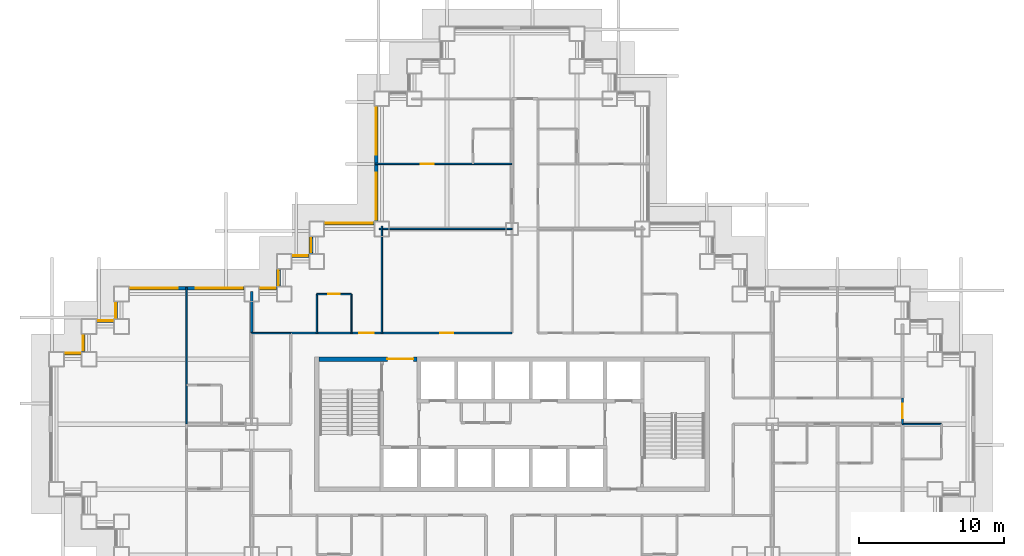
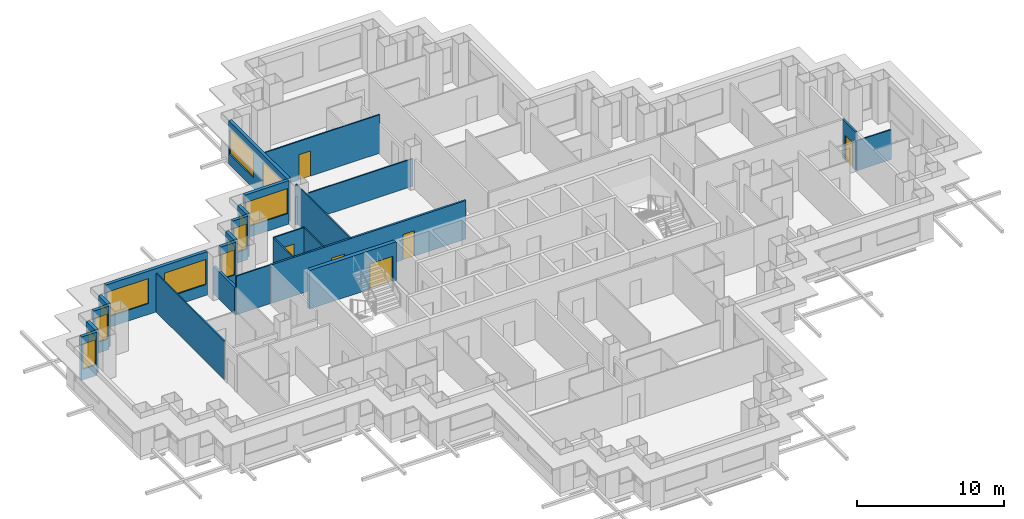
# One storey, part 7 of 15: 24 walls, 13 windows, 6 doors, 19 openings.
"""IFC4 building model written with IfcOpenShell, lengths in metres."""

from ifc_helpers import new_model, si_unit, direction, frame, frame_2d, origin, place, context, subcontext, project, spatial, rectangle, extrude, material, layer, layer_set, type_object, element, fill, save


model = new_model("IFC4")

# Units and contexts
model_context = context("Model", 3, precision=1e-05, world=origin(), true_north=direction((0.0, 1.0)))
body_context = subcontext(model_context, "Body", "Model", "MODEL_VIEW")
ifc_project = project(units=[si_unit("LENGTHUNIT", "METRE"), si_unit("AREAUNIT", "SQUARE_METRE"), si_unit("VOLUMEUNIT", "CUBIC_METRE"), si_unit("PLANEANGLEUNIT", "RADIAN"), si_unit("MASSUNIT", "GRAM", prefix="KILO")], contexts=[model_context])

# Site, building, storey
site_placement = place(None, origin())
site = spatial("IfcSite", under=ifc_project, at=site_placement, CompositionType="ELEMENT")
building_placement = place(site_placement, origin())
building = spatial("IfcBuilding", under=site, at=building_placement, Name="Caravel Reach Hotel and Residences", CompositionType="ELEMENT")
storey_placement = place(building_placement, frame((0.0, 0.0, 44.39990234375)))
storey = spatial("IfcBuildingStorey", under=building, at=storey_placement, Name="L09", CompositionType="ELEMENT", Elevation=44.39990234375)

# Wall
ifc_material_1 = material(Name="Gypsum board on steel stud", Category="steel")
ifc_layer_1 = layer(ifc_material_1, 0.10009765625)
ifc_layer_set_1 = layer_set([ifc_layer_1], Name="Bathroom pod wall 100 mm")
wall_type_1 = type_object("IfcWallType", Name="Bathroom pod wall 100 mm", PredefinedType="PARTITIONING", material=ifc_layer_set_1)
wall_1_placement = place(storey_placement, frame((58.5, 27.0, 0.0), z_axis=(0.0, 0.0, 1.0), x_axis=(1.0, 0.0, 0.0)))
element("IfcWall", 1, at=wall_1_placement, inside=storey, type_object=wall_type_1, Name="L09 wall w082", PredefinedType="PARTITIONING", context=body_context, shape_type="SweptSolid", body=[
    extrude(rectangle(XDim=2.699951171875, YDim=0.10009765625, at=frame_2d((1.35009765625, 0.0))), origin(), (0.0, 0.0, 1.0), 2.47998046875),
])

# Wall, opening, door
wall_2_placement = place(storey_placement, frame((18.0, 36.0, 0.0), z_axis=(0.0, 0.0, 1.0), x_axis=(1.0, 0.0, 0.0)))
wall_2 = element("IfcWall", 2, at=wall_2_placement, inside=storey, type_object=wall_type_1, Name="L09 wall w085", PredefinedType="PARTITIONING", context=body_context, shape_type="SweptSolid", body=[
    extrude(rectangle(XDim=2.39990234375, YDim=0.10009765625, at=frame_2d((1.199951171875, 0.0))), origin(), (0.0, 0.0, 1.0), 3.2001953125),
])
opening_1_placement = place(wall_2_placement, frame((0.800048828125, 0.0, 0.0)))
opening_1 = element("IfcOpeningElement", 3, at=opening_1_placement, cuts=wall_2, Name="Opening D09-043", PredefinedType="OPENING", context=body_context, shape_type="SweptSolid", body=[
    extrude(rectangle(XDim=0.800048828125, YDim=2.10009765625, at=frame_2d((0.39990234375, 1.050048828125))), frame((0.0, 0.06005859375, 0.0), z_axis=(0.0, -1.0, 0.0), x_axis=(1.0, 0.0, 0.0)), (0.0, 0.0, 1.0), 0.1201171875),
])
ifc_material_2 = material(Name="Timber and steel door leaf", Category="steel")
door_type_1 = type_object("IfcDoorType", Name="Bathroom door 800 x 2100", OperationType="SINGLE_SWING_LEFT", PredefinedType="DOOR", material=ifc_material_2)
door_1_placement = place(opening_1_placement, origin())
door_1 = element("IfcDoor", 4, at=door_1_placement, inside=storey, type_object=door_type_1, Name="door D09-043", OperationType="SINGLE_SWING_LEFT", OverallHeight=2.10009765625, OverallWidth=0.800048828125, PredefinedType="DOOR", context=body_context, shape_type="SweptSolid", body=[
    extrude(rectangle(XDim=0.800048828125, YDim=2.10009765625, at=frame_2d((0.39990234375, 1.050048828125))), frame((0.0, 0.02490234375, 0.0), z_axis=(0.0, -1.0, 0.0), x_axis=(1.0, 0.0, 0.0)), (0.0, 0.0, 1.0), 0.050048828125),
])
fill(opening_1, door_1)

# Walls
for number, where, z_axis, x_axis, name in (
    (5, (18.0, 33.300048828125, 0.0), (0.0, 0.0, 1.0), (0.0, 1.0, 0.0), "L09 wall w091"),
    (6, (20.39990234375, 33.300048828125, 0.0), (0.0, 0.0, 1.0), (0.0, 1.0, 0.0), "L09 wall w093"),
):
    element("IfcWall", number, at=place(storey_placement, frame(where, z_axis=z_axis, x_axis=x_axis)), inside=storey, type_object=wall_type_1, Name=name, PredefinedType="PARTITIONING", context=body_context, shape_type="SweptSolid", body=[
        extrude(rectangle(XDim=2.699951171875, YDim=0.10009765625, at=frame_2d((1.35009765625, 0.0))), origin(), (0.0, 0.0, 1.0), 3.2001953125),
    ])

# Wall, opening, door
ifc_material_3 = material(Name="Concrete C60", Category="concrete")
ifc_layer_2 = layer(ifc_material_3, 0.300048828125)
ifc_layer_set_2 = layer_set([ifc_layer_2], Name="Core wall 300 mm EI 120")
wall_type_2 = type_object("IfcWallType", Name="Core wall 300 mm EI 120", PredefinedType="SHEAR", material=ifc_layer_set_2)
wall_3_placement = place(storey_placement, frame((18.14990234375, 31.5, 0.0), z_axis=(0.0, 0.0, 1.0), x_axis=(1.0, 0.0, 0.0)))
wall_3 = element("IfcWall", 7, at=wall_3_placement, inside=storey, type_object=wall_type_2, Name="L09 core wall N1", PredefinedType="SHEAR", context=body_context, shape_type="SweptSolid", body=[
    extrude(rectangle(XDim=6.796630859375, YDim=0.300048828125, at=frame_2d((3.3984375, 0.0))), origin(), (0.0, 0.0, 1.0), 3.2001953125),
])
opening_2_placement = place(wall_3_placement, frame((4.735595703125, 0.0, 0.0)))
opening_2 = element("IfcOpeningElement", 8, at=opening_2_placement, cuts=wall_3, Name="Opening D09-014", PredefinedType="OPENING", context=body_context, shape_type="SweptSolid", body=[
    extrude(rectangle(XDim=1.800048828125, YDim=2.10009765625, at=frame_2d((0.89990234375, 1.050048828125))), frame((0.0, 0.159912109375, 0.0), z_axis=(0.0, -1.0, 0.0), x_axis=(1.0, 0.0, 0.0)), (0.0, 0.0, 1.0), 0.320068359375),
])
ifc_material_4 = material(Name="Steel fire door leaf", Category="steel")
door_type_2 = type_object("IfcDoorType", Name="Fire lobby door pair 1800 x 2100 EI 90", OperationType="DOUBLE_DOOR_SINGLE_SWING", PredefinedType="DOOR", material=ifc_material_4)
door_2_placement = place(opening_2_placement, origin())
door_2 = element("IfcDoor", 9, at=door_2_placement, inside=storey, type_object=door_type_2, Name="lobby N door pair to corridor", OperationType="DOUBLE_DOOR_SINGLE_SWING", OverallHeight=2.10009765625, OverallWidth=1.800048828125, PredefinedType="DOOR", context=body_context, shape_type="SweptSolid", body=[
    extrude(rectangle(XDim=1.800048828125, YDim=2.10009765625, at=frame_2d((0.89990234375, 1.050048828125))), frame((0.0, 0.02490234375, 0.0), z_axis=(0.0, -1.0, 0.0), x_axis=(1.0, 0.0, 0.0)), (0.0, 0.0, 1.0), 0.050048828125),
])
fill(opening_2, door_2)

# Wall, openings, doors
ifc_material_5 = material(Name="Gypsum board on steel stud, fire-rated", Category="steel")
ifc_layer_3 = layer(ifc_material_5, 0.14990234375)
ifc_layer_set_3 = layer_set([ifc_layer_3], Name="Corridor wall 150 mm EI 60")
wall_type_3 = type_object("IfcWallType", Name="Corridor wall 150 mm EI 60", PredefinedType="PARTITIONING", material=ifc_layer_set_3)
wall_4_placement = place(storey_placement, frame((16.199951171875, 33.300048828125, 0.0), z_axis=(0.0, 0.0, 1.0), x_axis=(1.0, 0.0, 0.0)))
wall_4 = element("IfcWall", 10, at=wall_4_placement, inside=storey, type_object=wall_type_3, Name="L09 wall w016", PredefinedType="PARTITIONING", context=body_context, shape_type="SweptSolid", body=[
    extrude(rectangle(XDim=15.300048828125, YDim=0.14990234375, at=frame_2d((7.64990234375, 0.0))), origin(), (0.0, 0.0, 1.0), 3.2001953125),
])
opening_3_placement = place(wall_4_placement, frame((4.75, 0.0, 0.0)))
opening_3 = element("IfcOpeningElement", 11, at=opening_3_placement, cuts=wall_4, Name="Opening D09-042", PredefinedType="OPENING", context=body_context, shape_type="SweptSolid", body=[
    extrude(rectangle(XDim=1.0, YDim=2.10009765625, at=frame_2d((0.5, 1.050048828125))), frame((0.0, 0.0849609375, 0.0), z_axis=(0.0, -1.0, 0.0), x_axis=(1.0, 0.0, 0.0)), (0.0, 0.0, 1.0), 0.169921875),
])
opening_4_placement = place(wall_4_placement, frame((10.35009765625, 0.0, 0.0)))
opening_4 = element("IfcOpeningElement", 12, at=opening_4_placement, cuts=wall_4, Name="Opening D09-050", PredefinedType="OPENING", context=body_context, shape_type="SweptSolid", body=[
    extrude(rectangle(XDim=0.89990234375, YDim=2.10009765625, at=frame_2d((0.449951171875, 1.050048828125))), frame((0.0, 0.0849609375, 0.0), z_axis=(0.0, -1.0, 0.0), x_axis=(1.0, 0.0, 0.0)), (0.0, 0.0, 1.0), 0.169921875),
])
ifc_material_6 = material(Name="Timber and steel door leaf", Category="steel")
door_type_3 = type_object("IfcDoorType", Name="Door 900 x 2100 timber", OperationType="SINGLE_SWING_LEFT", PredefinedType="DOOR", material=ifc_material_6)
door_3_placement = place(opening_4_placement, origin())
door_3 = element("IfcDoor", 13, at=door_3_placement, inside=storey, type_object=door_type_3, Name="door D09-050", OperationType="SINGLE_SWING_LEFT", OverallHeight=2.10009765625, OverallWidth=0.89990234375, PredefinedType="DOOR", context=body_context, shape_type="SweptSolid", body=[
    extrude(rectangle(XDim=0.89990234375, YDim=2.10009765625, at=frame_2d((0.449951171875, 1.050048828125))), frame((0.0, 0.02490234375, 0.0), z_axis=(0.0, -1.0, 0.0), x_axis=(1.0, 0.0, 0.0)), (0.0, 0.0, 1.0), 0.050048828125),
])
fill(opening_4, door_3)
ifc_material_7 = material(Name="Steel fire door leaf", Category="steel")
door_type_4 = type_object("IfcDoorType", Name="Guest room door 1000 x 2100 EI 30", OperationType="SINGLE_SWING_LEFT", PredefinedType="DOOR", material=ifc_material_7)
door_4_placement = place(opening_3_placement, origin())
door_4 = element("IfcDoor", 14, at=door_4_placement, inside=storey, type_object=door_type_4, Name="door D09-042", OperationType="SINGLE_SWING_RIGHT", OverallHeight=2.10009765625, OverallWidth=1.0, PredefinedType="DOOR", context=body_context, shape_type="SweptSolid", body=[
    extrude(rectangle(XDim=1.0, YDim=2.10009765625, at=frame_2d((0.5, 1.050048828125))), frame((0.0, 0.02490234375, 0.0), z_axis=(0.0, -1.0, 0.0), x_axis=(1.0, 0.0, 0.0)), (0.0, 0.0, 1.0), 0.050048828125),
])
fill(opening_3, door_4)

# Wall, opening, door
wall_5_placement = place(storey_placement, frame((58.5, 27.0, 0.0), z_axis=(0.0, 0.0, 1.0), x_axis=(0.0, 1.0, 0.0)))
wall_5 = element("IfcWall", 15, at=wall_5_placement, inside=storey, type_object=wall_type_3, Name="L09 wall w036", PredefinedType="PARTITIONING", context=body_context, shape_type="SweptSolid", body=[
    extrude(rectangle(XDim=1.800048828125, YDim=0.14990234375, at=frame_2d((0.89990234375, 0.0))), origin(), (0.0, 0.0, 1.0), 3.2001953125),
])
opening_5_placement = place(wall_5_placement, frame((0.39990234375, 0.0, 0.0)))
opening_5 = element("IfcOpeningElement", 16, at=opening_5_placement, cuts=wall_5, Name="Opening D09-038", PredefinedType="OPENING", context=body_context, shape_type="SweptSolid", body=[
    extrude(rectangle(XDim=1.0, YDim=2.10009765625, at=frame_2d((0.5, 1.050048828125))), frame((0.0, 0.0849609375, 0.0), z_axis=(0.0, -1.0, 0.0), x_axis=(1.0, 0.0, 0.0)), (0.0, 0.0, 1.0), 0.169921875),
])
door_5_placement = place(opening_5_placement, origin())
door_5 = element("IfcDoor", 17, at=door_5_placement, inside=storey, type_object=door_type_4, Name="door D09-038", OperationType="SINGLE_SWING_LEFT", OverallHeight=2.10009765625, OverallWidth=1.0, PredefinedType="DOOR", context=body_context, shape_type="SweptSolid", body=[
    extrude(rectangle(XDim=1.0, YDim=2.10009765625, at=frame_2d((0.5, 1.050048828125))), frame((0.0, 0.02490234375, 0.0), z_axis=(0.0, -1.0, 0.0), x_axis=(1.0, 0.0, 0.0)), (0.0, 0.0, 1.0), 0.050048828125),
])
fill(opening_5, door_5)

# Wall, openings, windows
ifc_material_8 = material(Name="Insulated rainscreen wall, aluminium cladding", Category="aluminium")
ifc_layer_4 = layer(ifc_material_8, 0.25)
ifc_layer_set_4 = layer_set([ifc_layer_4], Name="EW1 Tower rainscreen wall")
wall_type_4 = type_object("IfcWallType", Name="EW1 Tower rainscreen wall", PredefinedType="SOLIDWALL", material=ifc_layer_set_4)
wall_6_placement = place(storey_placement, frame((22.10009765625, 48.97509765625, 0.0), z_axis=(0.0, 0.0, 1.0), x_axis=(0.0, -1.0, 0.0)))
wall_6 = element("IfcWall", 18, at=wall_6_placement, inside=storey, type_object=wall_type_4, Name="External wall L09 W40.1", PredefinedType="SOLIDWALL", context=body_context, shape_type="SweptSolid", body=[
    extrude(rectangle(XDim=7.9501953125, YDim=0.25, at=frame_2d((3.97509765625, 0.0))), origin(), (0.0, 0.0, 1.0), 3.60009765625),
])
opening_6_placement = place(wall_6_placement, frame((0.10009765625, 0.0, 0.89990234375)))
opening_6 = element("IfcOpeningElement", 19, at=opening_6_placement, cuts=wall_6, Name="Opening WN2", PredefinedType="OPENING", context=body_context, shape_type="SweptSolid", body=[
    extrude(rectangle(XDim=3.25, YDim=2.080078125, at=frame_2d((1.625, 1.0400390625))), frame((0.0, 0.135009765625, 0.0), z_axis=(0.0, -1.0, 0.0), x_axis=(1.0, 0.0, 0.0)), (0.0, 0.0, 1.0), 0.27001953125),
])
opening_7_placement = place(wall_6_placement, frame((4.60009765625, 0.0, 0.89990234375)))
opening_7 = element("IfcOpeningElement", 20, at=opening_7_placement, cuts=wall_6, Name="Opening WN2", PredefinedType="OPENING", context=body_context, shape_type="SweptSolid", body=[
    extrude(rectangle(XDim=3.25, YDim=2.080078125, at=frame_2d((1.625, 1.0400390625))), frame((0.0, 0.135009765625, 0.0), z_axis=(0.0, -1.0, 0.0), x_axis=(1.0, 0.0, 0.0)), (0.0, 0.0, 1.0), 0.27001953125),
])
ifc_material_9 = material(Name="Dark low-e glazing in black aluminium frame", Category="aluminium")
window_type_1 = type_object("IfcWindowType", Name="Hotel guest room window 3250 x 2080", PartitioningType="SINGLE_PANEL", PredefinedType="WINDOW", material=ifc_material_9)
window_1_placement = place(opening_6_placement, origin())
window_1 = element("IfcWindow", 21, at=window_1_placement, inside=storey, type_object=window_type_1, Name="Window L09 W40.1.1", OverallHeight=2.080078125, OverallWidth=3.25, PartitioningType="SINGLE_PANEL", PredefinedType="WINDOW", context=body_context, shape_type="SweptSolid", body=[
    extrude(rectangle(XDim=3.25, YDim=2.080078125, at=frame_2d((1.625, 1.0400390625))), frame((0.0, 0.030029296875, 0.0), z_axis=(0.0, -1.0, 0.0), x_axis=(1.0, 0.0, 0.0)), (0.0, 0.0, 1.0), 0.06005859375),
])
fill(opening_6, window_1)
window_2_placement = place(opening_7_placement, origin())
window_2 = element("IfcWindow", 22, at=window_2_placement, inside=storey, type_object=window_type_1, Name="Window L09 W40.1.2", OverallHeight=2.080078125, OverallWidth=3.25, PartitioningType="SINGLE_PANEL", PredefinedType="WINDOW", context=body_context, shape_type="SweptSolid", body=[
    extrude(rectangle(XDim=3.25, YDim=2.080078125, at=frame_2d((1.625, 1.0400390625))), frame((0.0, 0.030029296875, 0.0), z_axis=(0.0, -1.0, 0.0), x_axis=(1.0, 0.0, 0.0)), (0.0, 0.0, 1.0), 0.06005859375),
])
fill(opening_7, window_2)

# Wall, opening, window
wall_7_placement = place(storey_placement, frame((21.97509765625, 40.89990234375, 0.0), z_axis=(0.0, 0.0, 1.0), x_axis=(-1.0, 0.0, 0.0)))
wall_7 = element("IfcWall", 23, at=wall_7_placement, inside=storey, type_object=wall_type_4, Name="External wall L09 N41.1", PredefinedType="SOLIDWALL", context=body_context, shape_type="SweptSolid", body=[
    extrude(rectangle(XDim=3.4501953125, YDim=0.25, at=frame_2d((1.72509765625, 0.0))), origin(), (0.0, 0.0, 1.0), 3.60009765625),
])
opening_8_placement = place(wall_7_placement, frame((0.10009765625, 0.0, 0.89990234375)))
opening_8 = element("IfcOpeningElement", 24, at=opening_8_placement, cuts=wall_7, Name="Opening WN2", PredefinedType="OPENING", context=body_context, shape_type="SweptSolid", body=[
    extrude(rectangle(XDim=3.25, YDim=2.080078125, at=frame_2d((1.625, 1.0400390625))), frame((0.0, 0.135009765625, 0.0), z_axis=(0.0, -1.0, 0.0), x_axis=(1.0, 0.0, 0.0)), (0.0, 0.0, 1.0), 0.27001953125),
])
window_3_placement = place(opening_8_placement, origin())
window_3 = element("IfcWindow", 25, at=window_3_placement, inside=storey, type_object=window_type_1, Name="Window L09 N41.1.1", OverallHeight=2.080078125, OverallWidth=3.25, PartitioningType="SINGLE_PANEL", PredefinedType="WINDOW", context=body_context, shape_type="SweptSolid", body=[
    extrude(rectangle(XDim=3.25, YDim=2.080078125, at=frame_2d((1.625, 1.0400390625))), frame((0.0, 0.030029296875, 0.0), z_axis=(0.0, -1.0, 0.0), x_axis=(1.0, 0.0, 0.0)), (0.0, 0.0, 1.0), 0.06005859375),
])
fill(opening_8, window_3)

wall_8_placement = place(storey_placement, frame((17.60009765625, 39.97509765625, 0.0), z_axis=(0.0, 0.0, 1.0), x_axis=(0.0, -1.0, 0.0)))
wall_8 = element("IfcWall", 26, at=wall_8_placement, inside=storey, type_object=wall_type_4, Name="External wall L09 W42.1", PredefinedType="SOLIDWALL", context=body_context, shape_type="SweptSolid", body=[
    extrude(rectangle(XDim=1.2001953125, YDim=0.25, at=frame_2d((0.60009765625, 0.0))), origin(), (0.0, 0.0, 1.0), 3.60009765625),
])
opening_9_placement = place(wall_8_placement, frame((0.10009765625, 0.0, 0.89990234375)))
opening_9 = element("IfcOpeningElement", 27, at=opening_9_placement, cuts=wall_8, Name="Opening WN1", PredefinedType="OPENING", context=body_context, shape_type="SweptSolid", body=[
    extrude(rectangle(XDim=1.0, YDim=2.080078125, at=frame_2d((0.5, 1.0400390625))), frame((0.0, 0.135009765625, 0.0), z_axis=(0.0, -1.0, 0.0), x_axis=(1.0, 0.0, 0.0)), (0.0, 0.0, 1.0), 0.27001953125),
])
ifc_material_10 = material(Name="Dark low-e glazing in black aluminium frame", Category="aluminium")
window_type_2 = type_object("IfcWindowType", Name="Hotel suite corner window 1000 x 2080", PartitioningType="SINGLE_PANEL", PredefinedType="WINDOW", material=ifc_material_10)
window_4_placement = place(opening_9_placement, origin())
window_4 = element("IfcWindow", 28, at=window_4_placement, inside=storey, type_object=window_type_2, Name="Window L09 W42.1.1", OverallHeight=2.080078125, OverallWidth=1.0, PartitioningType="SINGLE_PANEL", PredefinedType="WINDOW", context=body_context, shape_type="SweptSolid", body=[
    extrude(rectangle(XDim=1.0, YDim=2.080078125, at=frame_2d((0.5, 1.0400390625))), frame((0.0, 0.030029296875, 0.0), z_axis=(0.0, -1.0, 0.0), x_axis=(1.0, 0.0, 0.0)), (0.0, 0.0, 1.0), 0.06005859375),
])
fill(opening_9, window_4)

wall_9_placement = place(storey_placement, frame((17.47509765625, 38.64990234375, 0.0), z_axis=(0.0, 0.0, 1.0), x_axis=(-1.0, 0.0, 0.0)))
wall_9 = element("IfcWall", 29, at=wall_9_placement, inside=storey, type_object=wall_type_4, Name="External wall L09 N43.1", PredefinedType="SOLIDWALL", context=body_context, shape_type="SweptSolid", body=[
    extrude(rectangle(XDim=1.2001953125, YDim=0.25, at=frame_2d((0.60009765625, 0.0))), origin(), (0.0, 0.0, 1.0), 3.60009765625),
])
opening_10_placement = place(wall_9_placement, frame((0.10009765625, 0.0, 0.89990234375)))
opening_10 = element("IfcOpeningElement", 30, at=opening_10_placement, cuts=wall_9, Name="Opening WN1", PredefinedType="OPENING", context=body_context, shape_type="SweptSolid", body=[
    extrude(rectangle(XDim=1.0, YDim=2.080078125, at=frame_2d((0.5, 1.0400390625))), frame((0.0, 0.135009765625, 0.0), z_axis=(0.0, -1.0, 0.0), x_axis=(1.0, 0.0, 0.0)), (0.0, 0.0, 1.0), 0.27001953125),
])
window_5_placement = place(opening_10_placement, origin())
window_5 = element("IfcWindow", 31, at=window_5_placement, inside=storey, type_object=window_type_2, Name="Window L09 N43.1.1", OverallHeight=2.080078125, OverallWidth=1.0, PartitioningType="SINGLE_PANEL", PredefinedType="WINDOW", context=body_context, shape_type="SweptSolid", body=[
    extrude(rectangle(XDim=1.0, YDim=2.080078125, at=frame_2d((0.5, 1.0400390625))), frame((0.0, 0.030029296875, 0.0), z_axis=(0.0, -1.0, 0.0), x_axis=(1.0, 0.0, 0.0)), (0.0, 0.0, 1.0), 0.06005859375),
])
fill(opening_10, window_5)

wall_10_placement = place(storey_placement, frame((15.35009765625, 37.72509765625, 0.0), z_axis=(0.0, 0.0, 1.0), x_axis=(0.0, -1.0, 0.0)))
wall_10 = element("IfcWall", 32, at=wall_10_placement, inside=storey, type_object=wall_type_4, Name="External wall L09 W44.1", PredefinedType="SOLIDWALL", context=body_context, shape_type="SweptSolid", body=[
    extrude(rectangle(XDim=1.2001953125, YDim=0.25, at=frame_2d((0.60009765625, 0.0))), origin(), (0.0, 0.0, 1.0), 3.60009765625),
])
opening_11_placement = place(wall_10_placement, frame((0.10009765625, 0.0, 0.89990234375)))
opening_11 = element("IfcOpeningElement", 33, at=opening_11_placement, cuts=wall_10, Name="Opening WN1", PredefinedType="OPENING", context=body_context, shape_type="SweptSolid", body=[
    extrude(rectangle(XDim=1.0, YDim=2.080078125, at=frame_2d((0.5, 1.0400390625))), frame((0.0, 0.135009765625, 0.0), z_axis=(0.0, -1.0, 0.0), x_axis=(1.0, 0.0, 0.0)), (0.0, 0.0, 1.0), 0.27001953125),
])
window_6_placement = place(opening_11_placement, origin())
window_6 = element("IfcWindow", 34, at=window_6_placement, inside=storey, type_object=window_type_2, Name="Window L09 W44.1.1", OverallHeight=2.080078125, OverallWidth=1.0, PartitioningType="SINGLE_PANEL", PredefinedType="WINDOW", context=body_context, shape_type="SweptSolid", body=[
    extrude(rectangle(XDim=1.0, YDim=2.080078125, at=frame_2d((0.5, 1.0400390625))), frame((0.0, 0.030029296875, 0.0), z_axis=(0.0, -1.0, 0.0), x_axis=(1.0, 0.0, 0.0)), (0.0, 0.0, 1.0), 0.06005859375),
])
fill(opening_11, window_6)

wall_11_placement = place(storey_placement, frame((15.22509765625, 36.39990234375, 0.0), z_axis=(0.0, 0.0, 1.0), x_axis=(-1.0, 0.0, 0.0)))
wall_11 = element("IfcWall", 35, at=wall_11_placement, inside=storey, type_object=wall_type_4, Name="External wall L09 N45.1", PredefinedType="SOLIDWALL", context=body_context, shape_type="SweptSolid", body=[
    extrude(rectangle(XDim=1.2001953125, YDim=0.25, at=frame_2d((0.60009765625, 0.0))), origin(), (0.0, 0.0, 1.0), 3.60009765625),
])
opening_12_placement = place(wall_11_placement, frame((0.10009765625, 0.0, 0.89990234375)))
opening_12 = element("IfcOpeningElement", 36, at=opening_12_placement, cuts=wall_11, Name="Opening WN1", PredefinedType="OPENING", context=body_context, shape_type="SweptSolid", body=[
    extrude(rectangle(XDim=1.0, YDim=2.080078125, at=frame_2d((0.5, 1.0400390625))), frame((0.0, 0.135009765625, 0.0), z_axis=(0.0, -1.0, 0.0), x_axis=(1.0, 0.0, 0.0)), (0.0, 0.0, 1.0), 0.27001953125),
])
window_7_placement = place(opening_12_placement, origin())
window_7 = element("IfcWindow", 37, at=window_7_placement, inside=storey, type_object=window_type_2, Name="Window L09 N45.1.1", OverallHeight=2.080078125, OverallWidth=1.0, PartitioningType="SINGLE_PANEL", PredefinedType="WINDOW", context=body_context, shape_type="SweptSolid", body=[
    extrude(rectangle(XDim=1.0, YDim=2.080078125, at=frame_2d((0.5, 1.0400390625))), frame((0.0, 0.030029296875, 0.0), z_axis=(0.0, -1.0, 0.0), x_axis=(1.0, 0.0, 0.0)), (0.0, 0.0, 1.0), 0.06005859375),
])
fill(opening_12, window_7)

# Wall, openings, windows
wall_12_placement = place(storey_placement, frame((12.97509765625, 36.39990234375, 0.0), z_axis=(0.0, 0.0, 1.0), x_axis=(-1.0, 0.0, 0.0)))
wall_12 = element("IfcWall", 38, at=wall_12_placement, inside=storey, type_object=wall_type_4, Name="External wall L09 N45.2", PredefinedType="SOLIDWALL", context=body_context, shape_type="SweptSolid", body=[
    extrude(rectangle(XDim=7.9501953125, YDim=0.25, at=frame_2d((3.97509765625, 0.0))), origin(), (0.0, 0.0, 1.0), 3.60009765625),
])
opening_13_placement = place(wall_12_placement, frame((0.10009765625, 0.0, 0.89990234375)))
opening_13 = element("IfcOpeningElement", 39, at=opening_13_placement, cuts=wall_12, Name="Opening WN2", PredefinedType="OPENING", context=body_context, shape_type="SweptSolid", body=[
    extrude(rectangle(XDim=3.25, YDim=2.080078125, at=frame_2d((1.625, 1.0400390625))), frame((0.0, 0.135009765625, 0.0), z_axis=(0.0, -1.0, 0.0), x_axis=(1.0, 0.0, 0.0)), (0.0, 0.0, 1.0), 0.27001953125),
])
opening_14_placement = place(wall_12_placement, frame((4.60009765625, 0.0, 0.89990234375)))
opening_14 = element("IfcOpeningElement", 40, at=opening_14_placement, cuts=wall_12, Name="Opening WN2", PredefinedType="OPENING", context=body_context, shape_type="SweptSolid", body=[
    extrude(rectangle(XDim=3.25, YDim=2.080078125, at=frame_2d((1.625, 1.0400390625))), frame((0.0, 0.135009765625, 0.0), z_axis=(0.0, -1.0, 0.0), x_axis=(1.0, 0.0, 0.0)), (0.0, 0.0, 1.0), 0.27001953125),
])
window_8_placement = place(opening_13_placement, origin())
window_8 = element("IfcWindow", 41, at=window_8_placement, inside=storey, type_object=window_type_1, Name="Window L09 N45.2.1", OverallHeight=2.080078125, OverallWidth=3.25, PartitioningType="SINGLE_PANEL", PredefinedType="WINDOW", context=body_context, shape_type="SweptSolid", body=[
    extrude(rectangle(XDim=3.25, YDim=2.080078125, at=frame_2d((1.625, 1.0400390625))), frame((0.0, 0.030029296875, 0.0), z_axis=(0.0, -1.0, 0.0), x_axis=(1.0, 0.0, 0.0)), (0.0, 0.0, 1.0), 0.06005859375),
])
fill(opening_13, window_8)
window_9_placement = place(opening_14_placement, origin())
window_9 = element("IfcWindow", 42, at=window_9_placement, inside=storey, type_object=window_type_1, Name="Window L09 N45.2.2", OverallHeight=2.080078125, OverallWidth=3.25, PartitioningType="SINGLE_PANEL", PredefinedType="WINDOW", context=body_context, shape_type="SweptSolid", body=[
    extrude(rectangle(XDim=3.25, YDim=2.080078125, at=frame_2d((1.625, 1.0400390625))), frame((0.0, 0.030029296875, 0.0), z_axis=(0.0, -1.0, 0.0), x_axis=(1.0, 0.0, 0.0)), (0.0, 0.0, 1.0), 0.06005859375),
])
fill(opening_14, window_9)

# Wall, opening, window
wall_13_placement = place(storey_placement, frame((4.10009765625, 35.47509765625, 0.0), z_axis=(0.0, 0.0, 1.0), x_axis=(0.0, -1.0, 0.0)))
wall_13 = element("IfcWall", 43, at=wall_13_placement, inside=storey, type_object=wall_type_4, Name="External wall L09 W46.1", PredefinedType="SOLIDWALL", context=body_context, shape_type="SweptSolid", body=[
    extrude(rectangle(XDim=1.2001953125, YDim=0.25, at=frame_2d((0.60009765625, 0.0))), origin(), (0.0, 0.0, 1.0), 3.60009765625),
])
opening_15_placement = place(wall_13_placement, frame((0.10009765625, 0.0, 0.89990234375)))
opening_15 = element("IfcOpeningElement", 44, at=opening_15_placement, cuts=wall_13, Name="Opening WN1", PredefinedType="OPENING", context=body_context, shape_type="SweptSolid", body=[
    extrude(rectangle(XDim=1.0, YDim=2.080078125, at=frame_2d((0.5, 1.0400390625))), frame((0.0, 0.135009765625, 0.0), z_axis=(0.0, -1.0, 0.0), x_axis=(1.0, 0.0, 0.0)), (0.0, 0.0, 1.0), 0.27001953125),
])
window_10_placement = place(opening_15_placement, origin())
window_10 = element("IfcWindow", 45, at=window_10_placement, inside=storey, type_object=window_type_2, Name="Window L09 W46.1.1", OverallHeight=2.080078125, OverallWidth=1.0, PartitioningType="SINGLE_PANEL", PredefinedType="WINDOW", context=body_context, shape_type="SweptSolid", body=[
    extrude(rectangle(XDim=1.0, YDim=2.080078125, at=frame_2d((0.5, 1.0400390625))), frame((0.0, 0.030029296875, 0.0), z_axis=(0.0, -1.0, 0.0), x_axis=(1.0, 0.0, 0.0)), (0.0, 0.0, 1.0), 0.06005859375),
])
fill(opening_15, window_10)

wall_14_placement = place(storey_placement, frame((3.97509765625, 34.14990234375, 0.0), z_axis=(0.0, 0.0, 1.0), x_axis=(-1.0, 0.0, 0.0)))
wall_14 = element("IfcWall", 46, at=wall_14_placement, inside=storey, type_object=wall_type_4, Name="External wall L09 N47.1", PredefinedType="SOLIDWALL", context=body_context, shape_type="SweptSolid", body=[
    extrude(rectangle(XDim=1.2001953125, YDim=0.25, at=frame_2d((0.60009765625, 0.0))), origin(), (0.0, 0.0, 1.0), 3.60009765625),
])
opening_16_placement = place(wall_14_placement, frame((0.10009765625, 0.0, 0.89990234375)))
opening_16 = element("IfcOpeningElement", 47, at=opening_16_placement, cuts=wall_14, Name="Opening WN1", PredefinedType="OPENING", context=body_context, shape_type="SweptSolid", body=[
    extrude(rectangle(XDim=1.0, YDim=2.080078125, at=frame_2d((0.5, 1.0400390625))), frame((0.0, 0.135009765625, 0.0), z_axis=(0.0, -1.0, 0.0), x_axis=(1.0, 0.0, 0.0)), (0.0, 0.0, 1.0), 0.27001953125),
])
window_11_placement = place(opening_16_placement, origin())
window_11 = element("IfcWindow", 48, at=window_11_placement, inside=storey, type_object=window_type_2, Name="Window L09 N47.1.1", OverallHeight=2.080078125, OverallWidth=1.0, PartitioningType="SINGLE_PANEL", PredefinedType="WINDOW", context=body_context, shape_type="SweptSolid", body=[
    extrude(rectangle(XDim=1.0, YDim=2.080078125, at=frame_2d((0.5, 1.0400390625))), frame((0.0, 0.030029296875, 0.0), z_axis=(0.0, -1.0, 0.0), x_axis=(1.0, 0.0, 0.0)), (0.0, 0.0, 1.0), 0.06005859375),
])
fill(opening_16, window_11)

wall_15_placement = place(storey_placement, frame((1.85009765625, 33.22509765625, 0.0), z_axis=(0.0, 0.0, 1.0), x_axis=(0.0, -1.0, 0.0)))
wall_15 = element("IfcWall", 49, at=wall_15_placement, inside=storey, type_object=wall_type_4, Name="External wall L09 W48.1", PredefinedType="SOLIDWALL", context=body_context, shape_type="SweptSolid", body=[
    extrude(rectangle(XDim=1.2001953125, YDim=0.25, at=frame_2d((0.60009765625, 0.0))), origin(), (0.0, 0.0, 1.0), 3.60009765625),
])
opening_17_placement = place(wall_15_placement, frame((0.10009765625, 0.0, 0.89990234375)))
opening_17 = element("IfcOpeningElement", 50, at=opening_17_placement, cuts=wall_15, Name="Opening WN1", PredefinedType="OPENING", context=body_context, shape_type="SweptSolid", body=[
    extrude(rectangle(XDim=1.0, YDim=2.080078125, at=frame_2d((0.5, 1.0400390625))), frame((0.0, 0.135009765625, 0.0), z_axis=(0.0, -1.0, 0.0), x_axis=(1.0, 0.0, 0.0)), (0.0, 0.0, 1.0), 0.27001953125),
])
window_12_placement = place(opening_17_placement, origin())
window_12 = element("IfcWindow", 51, at=window_12_placement, inside=storey, type_object=window_type_2, Name="Window L09 W48.1.1", OverallHeight=2.080078125, OverallWidth=1.0, PartitioningType="SINGLE_PANEL", PredefinedType="WINDOW", context=body_context, shape_type="SweptSolid", body=[
    extrude(rectangle(XDim=1.0, YDim=2.080078125, at=frame_2d((0.5, 1.0400390625))), frame((0.0, 0.030029296875, 0.0), z_axis=(0.0, -1.0, 0.0), x_axis=(1.0, 0.0, 0.0)), (0.0, 0.0, 1.0), 0.06005859375),
])
fill(opening_17, window_12)

wall_16_placement = place(storey_placement, frame((1.72509765625, 31.89990234375, 0.0), z_axis=(0.0, 0.0, 1.0), x_axis=(-1.0, 0.0, 0.0)))
wall_16 = element("IfcWall", 52, at=wall_16_placement, inside=storey, type_object=wall_type_4, Name="External wall L09 N49.1", PredefinedType="SOLIDWALL", context=body_context, shape_type="SweptSolid", body=[
    extrude(rectangle(XDim=1.2001953125, YDim=0.25, at=frame_2d((0.60009765625, 0.0))), origin(), (0.0, 0.0, 1.0), 3.60009765625),
])
opening_18_placement = place(wall_16_placement, frame((0.10009765625, 0.0, 0.89990234375)))
opening_18 = element("IfcOpeningElement", 53, at=opening_18_placement, cuts=wall_16, Name="Opening WN1", PredefinedType="OPENING", context=body_context, shape_type="SweptSolid", body=[
    extrude(rectangle(XDim=1.0, YDim=2.080078125, at=frame_2d((0.5, 1.0400390625))), frame((0.0, 0.135009765625, 0.0), z_axis=(0.0, -1.0, 0.0), x_axis=(1.0, 0.0, 0.0)), (0.0, 0.0, 1.0), 0.27001953125),
])
window_13_placement = place(opening_18_placement, origin())
window_13 = element("IfcWindow", 54, at=window_13_placement, inside=storey, type_object=window_type_2, Name="Window L09 N49.1.1", OverallHeight=2.080078125, OverallWidth=1.0, PartitioningType="SINGLE_PANEL", PredefinedType="WINDOW", context=body_context, shape_type="SweptSolid", body=[
    extrude(rectangle(XDim=1.0, YDim=2.080078125, at=frame_2d((0.5, 1.0400390625))), frame((0.0, 0.030029296875, 0.0), z_axis=(0.0, -1.0, 0.0), x_axis=(1.0, 0.0, 0.0)), (0.0, 0.0, 1.0), 0.06005859375),
])
fill(opening_18, window_13)

# Walls
ifc_material_11 = material(Name="Gypsum board on steel stud", Category="steel")
ifc_layer_5 = layer(ifc_material_11, 0.10009765625)
ifc_layer_set_5 = layer_set([ifc_layer_5], Name="Partition 100 mm")
wall_type_5 = type_object("IfcWallType", Name="Partition 100 mm", PredefinedType="PARTITIONING", material=ifc_layer_set_5)
wall_17_placement = place(storey_placement, frame((13.5, 33.300048828125, 0.0), z_axis=(0.0, 0.0, 1.0), x_axis=(1.0, 0.0, 0.0)))
element("IfcWall", 55, at=wall_17_placement, inside=storey, type_object=wall_type_5, Name="L09 wall w043", PredefinedType="PARTITIONING", context=body_context, shape_type="SweptSolid", body=[
    extrude(rectangle(XDim=2.699951171875, YDim=0.10009765625, at=frame_2d((1.35009765625, 0.0))), origin(), (0.0, 0.0, 1.0), 3.2001953125),
])
wall_18_placement = place(storey_placement, frame((22.31005859375, 40.5, 0.0), z_axis=(0.0, 0.0, 1.0), x_axis=(1.0, 0.0, 0.0)))
element("IfcWall", 56, at=wall_18_placement, inside=storey, type_object=wall_type_5, Name="L09 wall w047", PredefinedType="PARTITIONING", context=body_context, shape_type="SweptSolid", body=[
    extrude(rectangle(XDim=9.18994140625, YDim=0.10009765625, at=frame_2d((4.594970703125, 0.0))), origin(), (0.0, 0.0, 1.0), 2.280029296875),
])

# Wall, opening, door
wall_19_placement = place(storey_placement, frame((22.034912109375, 45.0, 0.0), z_axis=(0.0, 0.0, 1.0), x_axis=(1.0, 0.0, 0.0)))
wall_19 = element("IfcWall", 57, at=wall_19_placement, inside=storey, type_object=wall_type_5, Name="L09 wall w049", PredefinedType="PARTITIONING", context=body_context, shape_type="SweptSolid", body=[
    extrude(rectangle(XDim=9.465087890625, YDim=0.10009765625, at=frame_2d((4.732421875, 0.0))), origin(), (0.0, 0.0, 1.0), 3.2001953125),
])
opening_19_placement = place(wall_19_placement, frame((3.14990234375, 0.0, 0.0)))
opening_19 = element("IfcOpeningElement", 58, at=opening_19_placement, cuts=wall_19, Name="Opening D09-028", PredefinedType="OPENING", context=body_context, shape_type="SweptSolid", body=[
    extrude(rectangle(XDim=0.89990234375, YDim=2.10009765625, at=frame_2d((0.449951171875, 1.050048828125))), frame((0.0, 0.06005859375, 0.0), z_axis=(0.0, -1.0, 0.0), x_axis=(1.0, 0.0, 0.0)), (0.0, 0.0, 1.0), 0.1201171875),
])
door_6_placement = place(opening_19_placement, origin())
door_6 = element("IfcDoor", 59, at=door_6_placement, inside=storey, type_object=door_type_3, Name="door D09-028", OperationType="SINGLE_SWING_LEFT", OverallHeight=2.10009765625, OverallWidth=0.89990234375, PredefinedType="DOOR", context=body_context, shape_type="SweptSolid", body=[
    extrude(rectangle(XDim=0.89990234375, YDim=2.10009765625, at=frame_2d((0.449951171875, 1.050048828125))), frame((0.0, 0.02490234375, 0.0), z_axis=(0.0, -1.0, 0.0), x_axis=(1.0, 0.0, 0.0)), (0.0, 0.0, 1.0), 0.050048828125),
])
fill(opening_19, door_6)

# Walls
wall_20_placement = place(storey_placement, frame((22.5, 33.300048828125, 0.0), z_axis=(0.0, 0.0, 1.0), x_axis=(0.0, 1.0, 0.0)))
element("IfcWall", 60, at=wall_20_placement, inside=storey, type_object=wall_type_5, Name="L09 wall w056", PredefinedType="PARTITIONING", context=body_context, shape_type="SweptSolid", body=[
    extrude(rectangle(XDim=7.389892578125, YDim=0.10009765625, at=frame_2d((3.69482421875, 0.0))), origin(), (0.0, 0.0, 1.0), 3.2001953125),
])
wall_21_placement = place(storey_placement, frame((9.0, 27.0, 0.0), z_axis=(0.0, 0.0, 1.0), x_axis=(0.0, 1.0, 0.0)))
element("IfcWall", 61, at=wall_21_placement, inside=storey, type_object=wall_type_5, Name="L09 wall w065", PredefinedType="PARTITIONING", context=body_context, shape_type="SweptSolid", body=[
    extrude(rectangle(XDim=9.465087890625, YDim=0.10009765625, at=frame_2d((4.732421875, 0.0))), origin(), (0.0, 0.0, 1.0), 3.2001953125),
])
ifc_material_12 = material(Name="Autoclaved aerated block wall")
ifc_layer_6 = layer(ifc_material_12, 0.199951171875)
ifc_layer_set_6 = layer_set([ifc_layer_6], Name="Party wall 200 mm EI 60")
wall_type_6 = type_object("IfcWallType", Name="Party wall 200 mm EI 60", PredefinedType="PARTITIONING", material=ifc_layer_set_6)
wall_22_placement = place(storey_placement, frame((13.5, 33.300048828125, 0.0), z_axis=(0.0, 0.0, 1.0), x_axis=(0.0, 1.0, 0.0)))
element("IfcWall", 62, at=wall_22_placement, inside=storey, type_object=wall_type_6, Name="L09 wall w067", PredefinedType="PARTITIONING", context=body_context, shape_type="SweptSolid", body=[
    extrude(rectangle(XDim=2.889892578125, YDim=0.199951171875, at=frame_2d((1.44482421875, 0.0))), origin(), (0.0, 0.0, 1.0), 2.280029296875),
])

save(model, "model.ifc")
